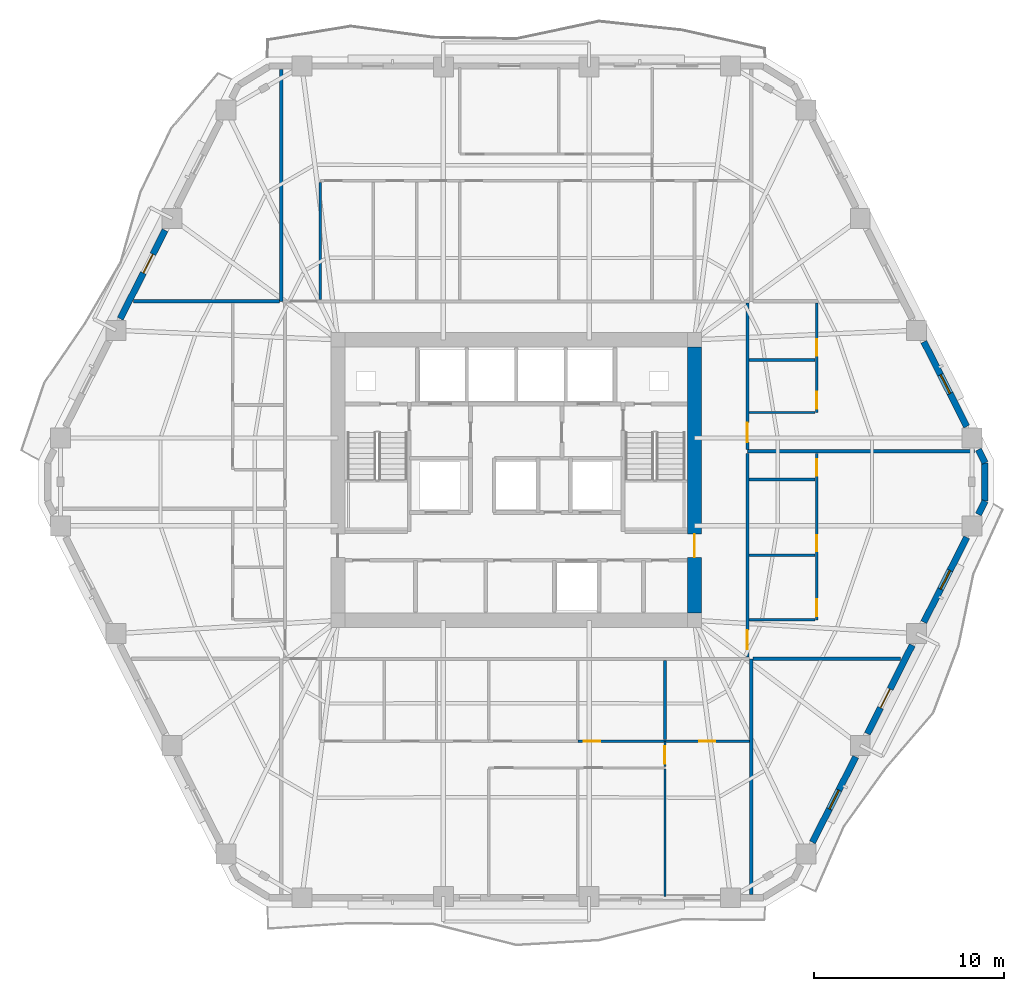
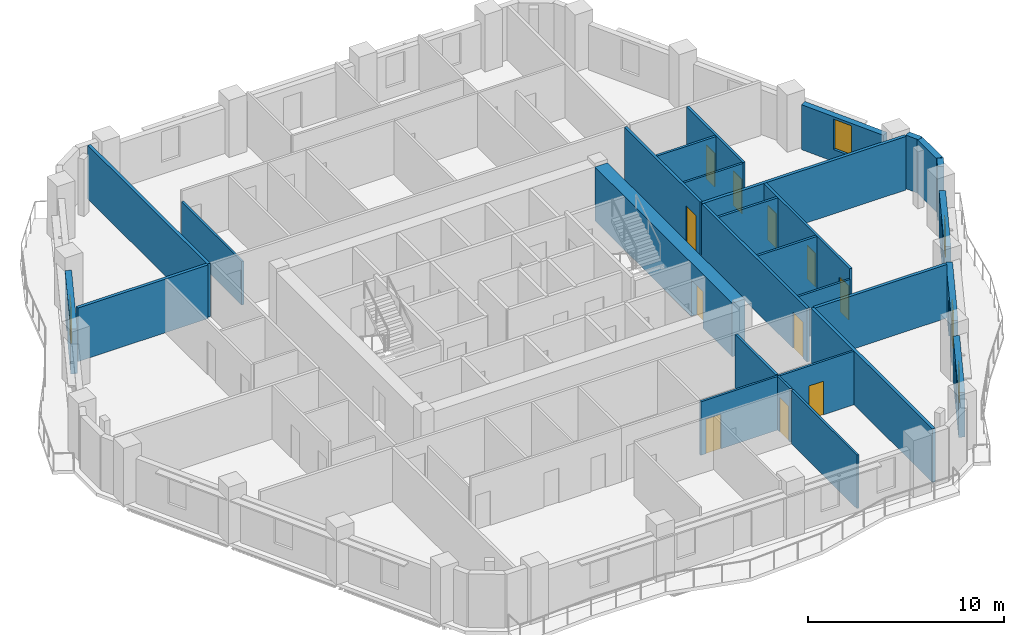
# One storey, part 6 of 12: 28 walls, 13 doors, 3 windows, 16 openings.
"""IFC4 building model written with IfcOpenShell, lengths in metres."""

from ifc_helpers import new_model, si_unit, direction, frame, frame_2d, origin, place, context, subcontext, project, spatial, rectangle, extrude, material, layer, layer_set, type_object, element, fill, save


model = new_model("IFC4")

# Units and contexts
model_context = context("Model", 3, precision=1e-05, world=origin(), true_north=direction((0.0, 1.0)))
body_context = subcontext(model_context, "Body", "Model", "MODEL_VIEW")
ifc_project = project(units=[si_unit("LENGTHUNIT", "METRE"), si_unit("AREAUNIT", "SQUARE_METRE"), si_unit("VOLUMEUNIT", "CUBIC_METRE"), si_unit("PLANEANGLEUNIT", "RADIAN"), si_unit("MASSUNIT", "GRAM", prefix="KILO")], contexts=[model_context])

# Site, building, storey
site_placement = place(None, origin())
site = spatial("IfcSite", under=ifc_project, at=site_placement, CompositionType="ELEMENT")
building_placement = place(site_placement, origin())
building = spatial("IfcBuilding", under=site, at=building_placement, Name="Cinnabar Lancet Tower", CompositionType="ELEMENT")
storey_placement = place(building_placement, frame((0.0, 0.0, 141.0)))
storey = spatial("IfcBuildingStorey", under=building, at=storey_placement, Name="L37", CompositionType="ELEMENT", Elevation=141.0)

# Wall, opening, door
ifc_material_1 = material(Name="Acoustic twin-stud gypsum partition", Category="gypsum")
ifc_layer_1 = layer(ifc_material_1, 0.159912109375)
ifc_layer_set_1 = layer_set([ifc_layer_1], Name="Acoustic twin-stud gypsum partition")
wall_type_1 = type_object("IfcWallType", Name="ARC-WL-CORR-160", PredefinedType="PARTITIONING", material=ifc_layer_set_1)
wall_1_placement = place(storey_placement, frame((44.550048828125, 16.594970703125, 0.0), z_axis=(0.0, 0.0, 1.0), x_axis=(0.0, 1.0, 0.0)))
wall_1 = element("IfcWall", 1, at=wall_1_placement, inside=storey, type_object=wall_type_1, Name="UW-L37-E01-COR", PredefinedType="PARTITIONING", context=body_context, shape_type="SweptSolid", body=[
    extrude(rectangle(XDim=10.714111328125, YDim=0.159912109375, at=frame_2d((5.35693359375, 0.0))), origin(), (0.0, 0.0, 1.0), 3.340087890625),
])
opening_1_placement = place(wall_1_placement, frame((0.39990234375, 0.0, 0.0)))
opening_1 = element("IfcOpeningElement", 2, at=opening_1_placement, cuts=wall_1, Name="Opening UD-01", PredefinedType="OPENING", context=body_context, shape_type="SweptSolid", body=[
    extrude(rectangle(XDim=1.02001953125, YDim=2.25, at=frame_2d((0.510009765625, 1.125))), frame((0.0, 0.08984375, 0.0), z_axis=(0.0, -1.0, 0.0), x_axis=(1.0, 0.0, 0.0)), (0.0, 0.0, 1.0), 0.179931640625),
])
ifc_material_2 = material(Name="Solid timber fire-rated apartment entrance door", Category="wood")
door_type_1 = type_object("IfcDoorType", Name="ARC-DR-UNIT", OperationType="NOTDEFINED", PredefinedType="DOOR", material=ifc_material_2)
door_1_placement = place(opening_1_placement, origin())
door_1 = element("IfcDoor", 3, at=door_1_placement, inside=storey, type_object=door_type_1, Name="DR-L37-E01-ENT", OperationType="SINGLE_SWING_LEFT", OverallHeight=2.25, OverallWidth=1.02001953125, PredefinedType="DOOR", context=body_context, shape_type="SweptSolid", body=[
    extrude(rectangle(XDim=1.02001953125, YDim=2.25, at=frame_2d((0.510009765625, 1.125))), frame((0.0, 0.02490234375, 0.0), z_axis=(0.0, -1.0, 0.0), x_axis=(1.0, 0.0, 0.0)), (0.0, 0.0, 1.0), 0.050048828125),
])
fill(opening_1, door_1)

wall_2_placement = place(storey_placement, frame((44.550048828125, 27.4990234375, 0.0), z_axis=(0.0, 0.0, 1.0), x_axis=(0.0, 1.0, 0.0)))
wall_2 = element("IfcWall", 4, at=wall_2_placement, inside=storey, type_object=wall_type_1, Name="UW-L37-E02-COR", PredefinedType="PARTITIONING", context=body_context, shape_type="SweptSolid", body=[
    extrude(rectangle(XDim=7.7060546875, YDim=0.159912109375, at=frame_2d((3.85302734375, 0.0))), origin(), (0.0, 0.0, 1.0), 3.340087890625),
])
opening_2_placement = place(wall_2_placement, frame((0.39990234375, 0.0, 0.0)))
opening_2 = element("IfcOpeningElement", 5, at=opening_2_placement, cuts=wall_2, Name="Opening UD-01", PredefinedType="OPENING", context=body_context, shape_type="SweptSolid", body=[
    extrude(rectangle(XDim=1.02001953125, YDim=2.25, at=frame_2d((0.510009765625, 1.125))), frame((0.0, 0.08984375, 0.0), z_axis=(0.0, -1.0, 0.0), x_axis=(1.0, 0.0, 0.0)), (0.0, 0.0, 1.0), 0.179931640625),
])
door_2_placement = place(opening_2_placement, origin())
door_2 = element("IfcDoor", 6, at=door_2_placement, inside=storey, type_object=door_type_1, Name="DR-L37-E02-ENT", OperationType="SINGLE_SWING_RIGHT", OverallHeight=2.25, OverallWidth=1.02001953125, PredefinedType="DOOR", context=body_context, shape_type="SweptSolid", body=[
    extrude(rectangle(XDim=1.02001953125, YDim=2.25, at=frame_2d((0.510009765625, 1.125))), frame((0.0, 0.02490234375, 0.0), z_axis=(0.0, -1.0, 0.0), x_axis=(1.0, 0.0, 0.0)), (0.0, 0.0, 1.0), 0.050048828125),
])
fill(opening_2, door_2)

# Walls
ifc_material_3 = material(Name="Fire-rated twin-frame acoustic drywall", Category="gypsum")
ifc_layer_2 = layer(ifc_material_3, 0.179931640625)
ifc_layer_set_2 = layer_set([ifc_layer_2], Name="Fire-rated twin-frame acoustic drywall")
wall_type_2 = type_object("IfcWallType", Name="ARC-WL-PARTY-180", PredefinedType="PARTITIONING", material=ifc_layer_set_2)
wall_3_placement = place(storey_placement, frame((44.75, 4.10498046875, 0.0), z_axis=(0.0, 0.0, 1.0), x_axis=(0.0, 1.0, 0.0)))
element("IfcWall", 7, at=wall_3_placement, inside=storey, type_object=wall_type_2, Name="PW-L37-SPTY-448", PredefinedType="PARTITIONING", context=body_context, shape_type="SweptSolid", body=[
    extrude(rectangle(XDim=12.39501953125, YDim=0.179931640625, at=frame_2d((6.197509765625, 0.0))), origin(), (0.0, 0.0, 1.0), 3.340087890625),
])
wall_4_placement = place(storey_placement, frame((20.050048828125, 35.300048828125, 0.0), z_axis=(0.0, 0.0, 1.0), x_axis=(0.0, 1.0, 0.0)))
element("IfcWall", 8, at=wall_4_placement, inside=storey, type_object=wall_type_2, Name="PW-L37-NPTY-200", PredefinedType="PARTITIONING", context=body_context, shape_type="SweptSolid", body=[
    extrude(rectangle(XDim=12.195068359375, YDim=0.179931640625, at=frame_2d((6.09765625, 0.0))), origin(), (0.0, 0.0, 1.0), 3.340087890625),
])
wall_5_placement = place(storey_placement, frame((44.844970703125, 16.5, 0.0), z_axis=(0.0, 0.0, 1.0), x_axis=(1.0, 0.0, 0.0)))
element("IfcWall", 9, at=wall_5_placement, inside=storey, type_object=wall_type_2, Name="PW-L37-ESB", PredefinedType="PARTITIONING", context=body_context, shape_type="SweptSolid", body=[
    extrude(rectangle(XDim=7.77001953125, YDim=0.179931640625, at=frame_2d((3.885009765625, 0.0))), origin(), (0.0, 0.0, 1.0), 3.340087890625),
])
wall_6_placement = place(storey_placement, frame((12.285888671875, 35.300048828125, 0.0), z_axis=(0.0, 0.0, 1.0), x_axis=(1.0, 0.0, 0.0)))
element("IfcWall", 10, at=wall_6_placement, inside=storey, type_object=wall_type_2, Name="PW-L37-WNB", PredefinedType="PARTITIONING", context=body_context, shape_type="SweptSolid", body=[
    extrude(rectangle(XDim=7.669189453125, YDim=0.179931640625, at=frame_2d((3.83447265625, 0.0))), origin(), (0.0, 0.0, 1.0), 3.340087890625),
])
wall_7_placement = place(storey_placement, frame((44.550048828125, 27.404052734375, 0.0), z_axis=(0.0, 0.0, 1.0), x_axis=(1.0, 0.0, 0.0)))
element("IfcWall", 11, at=wall_7_placement, inside=storey, type_object=wall_type_2, Name="PW-L37-EPTY-1", PredefinedType="PARTITIONING", context=body_context, shape_type="SweptSolid", body=[
    extrude(rectangle(XDim=11.958984375, YDim=0.179931640625, at=frame_2d((5.9794921875, 0.0))), origin(), (0.0, 0.0, 1.0), 3.340087890625),
])

# Wall, openings, doors
ifc_material_4 = material(Name="Gypsum plasterboard stud partition", Category="gypsum")
ifc_layer_3 = layer(ifc_material_4, 0.125)
ifc_layer_set_3 = layer_set([ifc_layer_3], Name="Gypsum plasterboard stud partition")
wall_type_3 = type_object("IfcWallType", Name="ARC-WL-UNIT-125", PredefinedType="PARTITIONING", material=ifc_layer_set_3)
wall_8_placement = place(storey_placement, frame((35.64208984375, 12.162109375, 0.0), z_axis=(0.0, 0.0, 1.0), x_axis=(1.0, 0.0, 0.0)))
wall_8 = element("IfcWall", 12, at=wall_8_placement, inside=storey, type_object=wall_type_3, Name="UW-L37-S01-SP2", PredefinedType="PARTITIONING", context=body_context, shape_type="SweptSolid", body=[
    extrude(rectangle(XDim=9.012939453125, YDim=0.125, at=frame_2d((4.50634765625, 0.0))), origin(), (0.0, 0.0, 1.0), 3.340087890625),
])
opening_3_placement = place(wall_8_placement, frame((6.3701171875, 0.0, 0.0)))
opening_3 = element("IfcOpeningElement", 13, at=opening_3_placement, cuts=wall_8, Name="Opening BD-01", PredefinedType="OPENING", context=body_context, shape_type="SweptSolid", body=[
    extrude(rectangle(XDim=0.860107421875, YDim=2.10009765625, at=frame_2d((0.43017578125, 1.050048828125))), frame((0.0, 0.072509765625, 0.0), z_axis=(0.0, -1.0, 0.0), x_axis=(1.0, 0.0, 0.0)), (0.0, 0.0, 1.0), 0.14501953125),
])
opening_4_placement = place(wall_8_placement, frame((0.300048828125, 0.0, 0.0)))
opening_4 = element("IfcOpeningElement", 14, at=opening_4_placement, cuts=wall_8, Name="Opening RD-02", PredefinedType="OPENING", context=body_context, shape_type="SweptSolid", body=[
    extrude(rectangle(XDim=0.8798828125, YDim=2.14990234375, at=frame_2d((0.43994140625, 1.074951171875))), frame((0.0, 0.072509765625, 0.0), z_axis=(0.0, -1.0, 0.0), x_axis=(1.0, 0.0, 0.0)), (0.0, 0.0, 1.0), 0.14501953125),
])
ifc_material_5 = material(Name="Moisture-resistant timber bathroom door", Category="wood")
door_type_2 = type_object("IfcDoorType", Name="ARC-DR-BATH", OperationType="NOTDEFINED", PredefinedType="DOOR", material=ifc_material_5)
door_3_placement = place(opening_3_placement, origin())
door_3 = element("IfcDoor", 15, at=door_3_placement, inside=storey, type_object=door_type_2, Name="DR-L37-S01-ENS", OperationType="SINGLE_SWING_LEFT", OverallHeight=2.10009765625, OverallWidth=0.860107421875, PredefinedType="DOOR", context=body_context, shape_type="SweptSolid", body=[
    extrude(rectangle(XDim=0.860107421875, YDim=2.10009765625, at=frame_2d((0.43017578125, 1.050048828125))), frame((0.0, 0.02490234375, 0.0), z_axis=(0.0, -1.0, 0.0), x_axis=(1.0, 0.0, 0.0)), (0.0, 0.0, 1.0), 0.050048828125),
])
fill(opening_3, door_3)
ifc_material_6 = material(Name="Engineered timber study door", Category="wood")
door_type_3 = type_object("IfcDoorType", Name="ARC-DR-STUDY", OperationType="NOTDEFINED", PredefinedType="DOOR", material=ifc_material_6)
door_4_placement = place(opening_4_placement, origin())
door_4 = element("IfcDoor", 16, at=door_4_placement, inside=storey, type_object=door_type_3, Name="DR-L37-S01-DRS", OperationType="SINGLE_SWING_RIGHT", OverallHeight=2.14990234375, OverallWidth=0.8798828125, PredefinedType="DOOR", context=body_context, shape_type="SweptSolid", body=[
    extrude(rectangle(XDim=0.8798828125, YDim=2.14990234375, at=frame_2d((0.43994140625, 1.074951171875))), frame((0.0, 0.02490234375, 0.0), z_axis=(0.0, -1.0, 0.0), x_axis=(1.0, 0.0, 0.0)), (0.0, 0.0, 1.0), 0.050048828125),
])
fill(opening_4, door_4)

# Wall, opening, door
wall_9_placement = place(storey_placement, frame((40.219970703125, 10.83203125, 0.0), z_axis=(0.0, 0.0, 1.0), x_axis=(0.0, 1.0, 0.0)))
wall_9 = element("IfcWall", 17, at=wall_9_placement, inside=storey, type_object=wall_type_3, Name="UW-L37-S01-MBE", PredefinedType="PARTITIONING", context=body_context, shape_type="SweptSolid", body=[
    extrude(rectangle(XDim=1.330078125, YDim=0.125, at=frame_2d((0.6650390625, 0.0))), origin(), (0.0, 0.0, 1.0), 3.340087890625),
])
opening_5_placement = place(wall_9_placement, frame((0.159912109375, 0.0, 0.0)))
opening_5 = element("IfcOpeningElement", 18, at=opening_5_placement, cuts=wall_9, Name="Opening RD-01", PredefinedType="OPENING", context=body_context, shape_type="SweptSolid", body=[
    extrude(rectangle(XDim=0.919921875, YDim=2.14990234375, at=frame_2d((0.4599609375, 1.074951171875))), frame((0.0, 0.072509765625, 0.0), z_axis=(0.0, -1.0, 0.0), x_axis=(1.0, 0.0, 0.0)), (0.0, 0.0, 1.0), 0.14501953125),
])
ifc_material_7 = material(Name="Engineered timber bedroom door", Category="wood")
door_type_4 = type_object("IfcDoorType", Name="ARC-DR-ROOM", OperationType="NOTDEFINED", PredefinedType="DOOR", material=ifc_material_7)
door_5_placement = place(opening_5_placement, origin())
door_5 = element("IfcDoor", 19, at=door_5_placement, inside=storey, type_object=door_type_4, Name="DR-L37-S01-MBD", OperationType="SINGLE_SWING_LEFT", OverallHeight=2.14990234375, OverallWidth=0.919921875, PredefinedType="DOOR", context=body_context, shape_type="SweptSolid", body=[
    extrude(rectangle(XDim=0.919921875, YDim=2.14990234375, at=frame_2d((0.4599609375, 1.074951171875))), frame((0.0, 0.02490234375, 0.0), z_axis=(0.0, -1.0, 0.0), x_axis=(1.0, 0.0, 0.0)), (0.0, 0.0, 1.0), 0.050048828125),
])
fill(opening_5, door_5)

# Walls
wall_10_placement = place(storey_placement, frame((40.219970703125, 4.014892578125, 0.0), z_axis=(0.0, 0.0, 1.0), x_axis=(0.0, 1.0, 0.0)))
element("IfcWall", 20, at=wall_10_placement, inside=storey, type_object=wall_type_3, Name="UW-L37-S01-B23W", PredefinedType="PARTITIONING", context=body_context, shape_type="SweptSolid", body=[
    extrude(rectangle(XDim=6.68212890625, YDim=0.125, at=frame_2d((3.341064453125, 0.0))), origin(), (0.0, 0.0, 1.0), 3.340087890625),
])
wall_11_placement = place(storey_placement, frame((22.10009765625, 35.385009765625, 0.0), z_axis=(0.0, 0.0, 1.0), x_axis=(0.0, 1.0, 0.0)))
element("IfcWall", 21, at=wall_11_placement, inside=storey, type_object=wall_type_3, Name="UW-L37-N01-FOYE", PredefinedType="PARTITIONING", context=body_context, shape_type="SweptSolid", body=[
    extrude(rectangle(XDim=6.15087890625, YDim=0.125, at=frame_2d((3.075439453125, 0.0))), origin(), (0.0, 0.0, 1.0), 2.721923828125),
])
wall_12_placement = place(storey_placement, frame((44.635009765625, 18.550048828125, 0.0), z_axis=(0.0, 0.0, 1.0), x_axis=(1.0, 0.0, 0.0)))
element("IfcWall", 22, at=wall_12_placement, inside=storey, type_object=wall_type_3, Name="UW-L37-E01-FOYN", PredefinedType="PARTITIONING", context=body_context, shape_type="SweptSolid", body=[
    extrude(rectangle(XDim=3.47998046875, YDim=0.125, at=frame_2d((1.739990234375, 0.0))), origin(), (0.0, 0.0, 1.0), 2.721923828125),
])
wall_13_placement = place(storey_placement, frame((44.635009765625, 29.4541015625, 0.0), z_axis=(0.0, 0.0, 1.0), x_axis=(1.0, 0.0, 0.0)))
element("IfcWall", 23, at=wall_13_placement, inside=storey, type_object=wall_type_3, Name="UW-L37-E02-FOYN", PredefinedType="PARTITIONING", context=body_context, shape_type="SweptSolid", body=[
    extrude(rectangle(XDim=3.47998046875, YDim=0.125, at=frame_2d((1.739990234375, 0.0))), origin(), (0.0, 0.0, 1.0), 3.340087890625),
])
ifc_material_8 = material(Name="Moisture-resistant cement-board plumbing wall", Category="masonry")
ifc_layer_4 = layer(ifc_material_8, 0.139892578125)
ifc_layer_set_4 = layer_set([ifc_layer_4], Name="Moisture-resistant cement-board plumbing wall")
wall_type_4 = type_object("IfcWallType", Name="ARC-WL-WET-140", PredefinedType="PLUMBINGWALL", material=ifc_layer_set_4)
wall_14_placement = place(storey_placement, frame((40.219970703125, 12.26708984375, 0.0), z_axis=(0.0, 0.0, 1.0), x_axis=(0.0, 1.0, 0.0)))
element("IfcWall", 24, at=wall_14_placement, inside=storey, type_object=wall_type_4, Name="UW-L37-S01-UT3", PredefinedType="PLUMBINGWALL", context=body_context, shape_type="SweptSolid", body=[
    extrude(rectangle(XDim=4.14794921875, YDim=0.139892578125, at=frame_2d((2.073974609375, 0.0))), origin(), (0.0, 0.0, 1.0), 3.340087890625),
])

# Wall, openings, doors
wall_15_placement = place(storey_placement, frame((48.199951171875, 18.550048828125, 0.0), z_axis=(0.0, 0.0, 1.0), x_axis=(0.0, 1.0, 0.0)))
wall_15 = element("IfcWall", 25, at=wall_15_placement, inside=storey, type_object=wall_type_4, Name="UW-L37-E01-SPL", PredefinedType="PLUMBINGWALL", context=body_context, shape_type="SweptSolid", body=[
    extrude(rectangle(XDim=8.759033203125, YDim=0.139892578125, at=frame_2d((4.37939453125, 0.0))), origin(), (0.0, 0.0, 1.0), 3.340087890625),
])
opening_6_placement = place(wall_15_placement, frame((3.60009765625, 0.0, 0.0)))
opening_6 = element("IfcOpeningElement", 26, at=opening_6_placement, cuts=wall_15, Name="Opening BD-01", PredefinedType="OPENING", context=body_context, shape_type="SweptSolid", body=[
    extrude(rectangle(XDim=0.860107421875, YDim=2.10009765625, at=frame_2d((0.43017578125, 1.050048828125))), frame((0.0, 0.079833984375, 0.0), z_axis=(0.0, -1.0, 0.0), x_axis=(1.0, 0.0, 0.0)), (0.0, 0.0, 1.0), 0.159912109375),
])
opening_7_placement = place(wall_15_placement, frame((7.576904296875, 0.0, 0.0)))
opening_7 = element("IfcOpeningElement", 27, at=opening_7_placement, cuts=wall_15, Name="Opening RD-02", PredefinedType="OPENING", context=body_context, shape_type="SweptSolid", body=[
    extrude(rectangle(XDim=0.8798828125, YDim=2.14990234375, at=frame_2d((0.43994140625, 1.074951171875))), frame((0.0, 0.079833984375, 0.0), z_axis=(0.0, -1.0, 0.0), x_axis=(1.0, 0.0, 0.0)), (0.0, 0.0, 1.0), 0.159912109375),
])
opening_8_placement = place(wall_15_placement, frame((0.199951171875, 0.0, 0.0)))
opening_8 = element("IfcOpeningElement", 28, at=opening_8_placement, cuts=wall_15, Name="Opening RD-02", PredefinedType="OPENING", context=body_context, shape_type="SweptSolid", body=[
    extrude(rectangle(XDim=0.8798828125, YDim=2.14990234375, at=frame_2d((0.43994140625, 1.074951171875))), frame((0.0, 0.079833984375, 0.0), z_axis=(0.0, -1.0, 0.0), x_axis=(1.0, 0.0, 0.0)), (0.0, 0.0, 1.0), 0.159912109375),
])
door_6_placement = place(opening_6_placement, origin())
door_6 = element("IfcDoor", 29, at=door_6_placement, inside=storey, type_object=door_type_2, Name="DR-L37-E01-BTH", OperationType="SINGLE_SWING_LEFT", OverallHeight=2.10009765625, OverallWidth=0.860107421875, PredefinedType="DOOR", context=body_context, shape_type="SweptSolid", body=[
    extrude(rectangle(XDim=0.860107421875, YDim=2.10009765625, at=frame_2d((0.43017578125, 1.050048828125))), frame((0.0, 0.02490234375, 0.0), z_axis=(0.0, -1.0, 0.0), x_axis=(1.0, 0.0, 0.0)), (0.0, 0.0, 1.0), 0.050048828125),
])
fill(opening_6, door_6)
door_7_placement = place(opening_7_placement, origin())
door_7 = element("IfcDoor", 30, at=door_7_placement, inside=storey, type_object=door_type_3, Name="DR-L37-E01-WDR", OperationType="SINGLE_SWING_RIGHT", OverallHeight=2.14990234375, OverallWidth=0.8798828125, PredefinedType="DOOR", context=body_context, shape_type="SweptSolid", body=[
    extrude(rectangle(XDim=0.8798828125, YDim=2.14990234375, at=frame_2d((0.43994140625, 1.074951171875))), frame((0.0, 0.02490234375, 0.0), z_axis=(0.0, -1.0, 0.0), x_axis=(1.0, 0.0, 0.0)), (0.0, 0.0, 1.0), 0.050048828125),
])
fill(opening_7, door_7)
door_8_placement = place(opening_8_placement, origin())
door_8 = element("IfcDoor", 31, at=door_8_placement, inside=storey, type_object=door_type_3, Name="DR-L37-E01-KIT", OperationType="SINGLE_SWING_RIGHT", OverallHeight=2.14990234375, OverallWidth=0.8798828125, PredefinedType="DOOR", context=body_context, shape_type="SweptSolid", body=[
    extrude(rectangle(XDim=0.8798828125, YDim=2.14990234375, at=frame_2d((0.43994140625, 1.074951171875))), frame((0.0, 0.02490234375, 0.0), z_axis=(0.0, -1.0, 0.0), x_axis=(1.0, 0.0, 0.0)), (0.0, 0.0, 1.0), 0.050048828125),
])
fill(opening_8, door_8)

# Walls
for number, where, z_axis, x_axis, name in (
    (32, (44.635009765625, 21.949951171875, 0.0), (0.0, 0.0, 1.0), (1.0, 0.0, 0.0), "UW-L37-E01-KDV"),
    (33, (44.635009765625, 25.927001953125, 0.0), (0.0, 0.0, 1.0), (1.0, 0.0, 0.0), "UW-L37-E01-BWDV"),
):
    element("IfcWall", number, at=place(storey_placement, frame(where, z_axis=z_axis, x_axis=x_axis)), inside=storey, type_object=wall_type_4, Name=name, PredefinedType="PLUMBINGWALL", context=body_context, shape_type="SweptSolid", body=[
        extrude(rectangle(XDim=3.47998046875, YDim=0.139892578125, at=frame_2d((1.739990234375, 0.0))), origin(), (0.0, 0.0, 1.0), 3.340087890625),
    ])

# Wall, openings, doors
wall_16_placement = place(storey_placement, frame((48.199951171875, 29.4541015625, 0.0), z_axis=(0.0, 0.0, 1.0), x_axis=(0.0, 1.0, 0.0)))
wall_16 = element("IfcWall", 34, at=wall_16_placement, inside=storey, type_object=wall_type_4, Name="UW-L37-E02-SPL", PredefinedType="PLUMBINGWALL", context=body_context, shape_type="SweptSolid", body=[
    extrude(rectangle(XDim=5.7509765625, YDim=0.139892578125, at=frame_2d((2.87548828125, 0.0))), origin(), (0.0, 0.0, 1.0), 3.340087890625),
])
opening_9_placement = place(wall_16_placement, frame((2.97998046875, 0.0, 0.0)))
opening_9 = element("IfcOpeningElement", 35, at=opening_9_placement, cuts=wall_16, Name="Opening BD-01", PredefinedType="OPENING", context=body_context, shape_type="SweptSolid", body=[
    extrude(rectangle(XDim=0.860107421875, YDim=2.10009765625, at=frame_2d((0.43017578125, 1.050048828125))), frame((0.0, 0.079833984375, 0.0), z_axis=(0.0, -1.0, 0.0), x_axis=(1.0, 0.0, 0.0)), (0.0, 0.0, 1.0), 0.159912109375),
])
opening_10_placement = place(wall_16_placement, frame((0.199951171875, 0.0, 0.0)))
opening_10 = element("IfcOpeningElement", 36, at=opening_10_placement, cuts=wall_16, Name="Opening RD-02", PredefinedType="OPENING", context=body_context, shape_type="SweptSolid", body=[
    extrude(rectangle(XDim=0.8798828125, YDim=2.14990234375, at=frame_2d((0.43994140625, 1.074951171875))), frame((0.0, 0.079833984375, 0.0), z_axis=(0.0, -1.0, 0.0), x_axis=(1.0, 0.0, 0.0)), (0.0, 0.0, 1.0), 0.159912109375),
])
door_9_placement = place(opening_9_placement, origin())
door_9 = element("IfcDoor", 37, at=door_9_placement, inside=storey, type_object=door_type_2, Name="DR-L37-E02-BTH", OperationType="SINGLE_SWING_RIGHT", OverallHeight=2.10009765625, OverallWidth=0.860107421875, PredefinedType="DOOR", context=body_context, shape_type="SweptSolid", body=[
    extrude(rectangle(XDim=0.860107421875, YDim=2.10009765625, at=frame_2d((0.43017578125, 1.050048828125))), frame((0.0, 0.02490234375, 0.0), z_axis=(0.0, -1.0, 0.0), x_axis=(1.0, 0.0, 0.0)), (0.0, 0.0, 1.0), 0.050048828125),
])
fill(opening_9, door_9)
door_10_placement = place(opening_10_placement, origin())
door_10 = element("IfcDoor", 38, at=door_10_placement, inside=storey, type_object=door_type_3, Name="DR-L37-E02-KIT", OperationType="SINGLE_SWING_LEFT", OverallHeight=2.14990234375, OverallWidth=0.8798828125, PredefinedType="DOOR", context=body_context, shape_type="SweptSolid", body=[
    extrude(rectangle(XDim=0.8798828125, YDim=2.14990234375, at=frame_2d((0.43994140625, 1.074951171875))), frame((0.0, 0.02490234375, 0.0), z_axis=(0.0, -1.0, 0.0), x_axis=(1.0, 0.0, 0.0)), (0.0, 0.0, 1.0), 0.050048828125),
])
fill(opening_10, door_10)

# Walls
wall_17_placement = place(storey_placement, frame((44.635009765625, 32.214111328125, 0.0), z_axis=(0.0, 0.0, 1.0), x_axis=(1.0, 0.0, 0.0)))
element("IfcWall", 39, at=wall_17_placement, inside=storey, type_object=wall_type_4, Name="UW-L37-E02-KDV", PredefinedType="PLUMBINGWALL", context=body_context, shape_type="SweptSolid", body=[
    extrude(rectangle(XDim=3.47998046875, YDim=0.139892578125, at=frame_2d((1.739990234375, 0.0))), origin(), (0.0, 0.0, 1.0), 3.340087890625),
])
ifc_material_9 = material(Name="Cinnabar red clay brick", Category="masonry")
ifc_layer_5 = layer(ifc_material_9, 0.340087890625)
ifc_layer_set_5 = layer_set([ifc_layer_5], Name="Cinnabar red clay brick")
wall_type_5 = type_object("IfcWallType", Name="ENV-WL-BRK-RED-340", PredefinedType="STANDARD", material=ifc_layer_set_5)
wall_18_placement = place(storey_placement, frame((57.032958984375, 24.802978515625, 0.0), z_axis=(0.0, 0.0, 1.0), x_axis=(0.0, 1.0, 0.0)))
element("IfcWall", 40, at=wall_18_placement, inside=storey, type_object=wall_type_5, Name="L37 Chamfered Corner Brick Pier 3.1", PredefinedType="STANDARD", context=body_context, shape_type="SweptSolid", body=[
    extrude(rectangle(XDim=1.994140625, YDim=0.340087890625, at=frame_2d((0.9970703125, 0.0))), origin(), (0.0, 0.0, 1.0), 3.340087890625),
])

# Wall, opening, window
wall_19_placement = place(storey_placement, frame((47.97509765625, 6.85205078125, 0.0), z_axis=(0.0, 0.0, 1.0), x_axis=(0.451548465867, 0.892246593142, 0.0)))
wall_19 = element("IfcWall", 41, at=wall_19_placement, inside=storey, type_object=wall_type_5, Name="L37 Face 2 Masonry Bay Wall 2", PredefinedType="STANDARD", context=body_context, shape_type="SweptSolid", body=[
    extrude(rectangle(XDim=5.040283203125, YDim=0.340087890625, at=frame_2d((2.52001953125, 0.0))), origin(), (0.0, 0.0, 1.0), 2.797119140625),
])
opening_11_placement = place(wall_19_placement, frame((1.969970703125, 0.0, 0.75)))
opening_11 = element("IfcOpeningElement", 42, at=opening_11_placement, cuts=wall_19, Name="Opening WN-04", PredefinedType="OPENING", context=body_context, shape_type="SweptSolid", body=[
    extrude(rectangle(XDim=1.10009765625, YDim=1.89697265625, at=frame_2d((0.550048828125, 0.948486328125))), frame((0.0, 0.179931640625, 0.0), z_axis=(0.0, -1.0, 0.0), x_axis=(1.0, 0.0, 0.0)), (0.0, 0.0, 1.0), 0.360107421875),
])
ifc_material_10 = material(Name="Thermally broken bronze-anodized aluminium tall lancet window", Category="aluminium")
window_type = type_object("IfcWindowType", Name="ENV-WN-LANCET-1100", PartitioningType="SINGLE_PANEL", PredefinedType="WINDOW", material=ifc_material_10)
window_1_placement = place(opening_11_placement, origin())
window_1 = element("IfcWindow", 43, at=window_1_placement, inside=storey, type_object=window_type, Name="L37 Face 2 Gothic Lancet Window 2", OverallHeight=1.89697265625, OverallWidth=1.10009765625, PartitioningType="SINGLE_PANEL", PredefinedType="WINDOW", context=body_context, shape_type="SweptSolid", body=[
    extrude(rectangle(XDim=1.10009765625, YDim=1.89697265625, at=frame_2d((0.550048828125, 0.948486328125))), frame((0.0, 0.030029296875, 0.0), z_axis=(0.0, -1.0, 0.0), x_axis=(1.0, 0.0, 0.0)), (0.0, 0.0, 1.0), 0.06005859375),
])
fill(opening_11, window_1)

# Wall, opening, door
wall_20_placement = place(storey_placement, frame((50.863037109375, 12.56103515625, 0.0), z_axis=(0.0, 0.0, 1.0), x_axis=(0.451567731634, 0.892236842855, 0.0)))
wall_20 = element("IfcWall", 44, at=wall_20_placement, inside=storey, type_object=wall_type_5, Name="L37 Face 2 Masonry Bay Wall 3", PredefinedType="STANDARD", context=body_context, shape_type="SweptSolid", body=[
    extrude(rectangle(XDim=5.219482421875, YDim=0.340087890625, at=frame_2d((2.60986328125, 0.0))), origin(), (0.0, 0.0, 1.0), 2.797119140625),
])
opening_12_placement = place(wall_20_placement, frame((1.531982421875, 0.0, 0.0)))
opening_12 = element("IfcOpeningElement", 45, at=opening_12_placement, cuts=wall_20, Name="Opening TD-01", PredefinedType="OPENING", context=body_context, shape_type="SweptSolid", body=[
    extrude(rectangle(XDim=1.10009765625, YDim=2.25, at=frame_2d((0.550048828125, 1.125))), frame((0.0, 0.179931640625, 0.0), z_axis=(0.0, -1.0, 0.0), x_axis=(1.0, 0.0, 0.0)), (0.0, 0.0, 1.0), 0.360107421875),
])
ifc_material_11 = material(Name="Thermally broken low-E glazed balcony terrace door", Category="wood")
door_type_5 = type_object("IfcDoorType", Name="ARC-DR-BALC", OperationType="NOTDEFINED", PredefinedType="DOOR", material=ifc_material_11)
door_11_placement = place(opening_12_placement, origin())
door_11 = element("IfcDoor", 46, at=door_11_placement, inside=storey, type_object=door_type_5, Name="L37 Face 2 Glazed Terrace Door", OperationType="SINGLE_SWING_RIGHT", OverallHeight=2.25, OverallWidth=1.10009765625, PredefinedType="DOOR", context=body_context, shape_type="SweptSolid", body=[
    extrude(rectangle(XDim=1.10009765625, YDim=2.25, at=frame_2d((0.550048828125, 1.125))), frame((0.0, 0.02490234375, 0.0), z_axis=(0.0, -1.0, 0.0), x_axis=(1.0, 0.0, 0.0)), (0.0, 0.0, 1.0), 0.050048828125),
])
fill(opening_12, door_11)

# Wall, opening, window
wall_21_placement = place(storey_placement, frame((53.83203125, 18.427978515625, 0.0), z_axis=(0.0, 0.0, 1.0), x_axis=(0.451431617681, 0.892305718102, 0.0)))
wall_21 = element("IfcWall", 47, at=wall_21_placement, inside=storey, type_object=wall_type_5, Name="L37 Face 2 Masonry Bay Wall 4", PredefinedType="STANDARD", context=body_context, shape_type="SweptSolid", body=[
    extrude(rectangle(XDim=4.994873046875, YDim=0.340087890625, at=frame_2d((2.49755859375, 0.0))), origin(), (0.0, 0.0, 1.0), 2.797119140625),
])
opening_13_placement = place(wall_21_placement, frame((1.947021484375, 0.0, 0.75)))
opening_13 = element("IfcOpeningElement", 48, at=opening_13_placement, cuts=wall_21, Name="Opening WN-04", PredefinedType="OPENING", context=body_context, shape_type="SweptSolid", body=[
    extrude(rectangle(XDim=1.10009765625, YDim=1.89697265625, at=frame_2d((0.550048828125, 0.948486328125))), frame((0.0, 0.179931640625, 0.0), z_axis=(0.0, -1.0, 0.0), x_axis=(1.0, 0.0, 0.0)), (0.0, 0.0, 1.0), 0.360107421875),
])
window_2_placement = place(opening_13_placement, origin())
window_2 = element("IfcWindow", 49, at=window_2_placement, inside=storey, type_object=window_type, Name="L37 Face 2 Gothic Lancet Window 4", OverallHeight=1.89697265625, OverallWidth=1.10009765625, PartitioningType="SINGLE_PANEL", PredefinedType="WINDOW", context=body_context, shape_type="SweptSolid", body=[
    extrude(rectangle(XDim=1.10009765625, YDim=1.89697265625, at=frame_2d((0.550048828125, 0.948486328125))), frame((0.0, 0.030029296875, 0.0), z_axis=(0.0, -1.0, 0.0), x_axis=(1.0, 0.0, 0.0)), (0.0, 0.0, 1.0), 0.06005859375),
])
fill(opening_13, window_2)

# Walls
for number, where, z_axis, x_axis, name in (
    (50, (56.699951171875, 24.096923828125, 0.0), (0.0, 0.0, 1.0), (0.451819324107, 0.89210946546, 0.0), "L37 Face 2 Masonry Bay Wall 5"),
    (51, (57.053955078125, 26.803955078125, 0.0), (0.0, 0.0, 1.0), (-0.451819324107, 0.89210946546, 0.0), "L37 Face 3 Masonry Bay Wall 1"),
):
    element("IfcWall", number, at=place(storey_placement, frame(where, z_axis=z_axis, x_axis=x_axis)), inside=storey, type_object=wall_type_5, Name=name, PredefinedType="STANDARD", context=body_context, shape_type="SweptSolid", body=[
        extrude(rectangle(XDim=0.783447265625, YDim=0.340087890625, at=frame_2d((0.3916015625, 0.0))), origin(), (0.0, 0.0, 1.0), 3.340087890625),
    ])

# Wall, opening, window
wall_22_placement = place(storey_placement, frame((56.0869140625, 28.715087890625, 0.0), z_axis=(0.0, 0.0, 1.0), x_axis=(-0.451431617681, 0.892305718102, 0.0)))
wall_22 = element("IfcWall", 52, at=wall_22_placement, inside=storey, type_object=wall_type_5, Name="L37 Face 3 Masonry Bay Wall 2", PredefinedType="STANDARD", context=body_context, shape_type="SweptSolid", body=[
    extrude(rectangle(XDim=4.994873046875, YDim=0.340087890625, at=frame_2d((2.49755859375, 0.0))), origin(), (0.0, 0.0, 1.0), 2.797119140625),
])
opening_14_placement = place(wall_22_placement, frame((1.947021484375, 0.0, 0.75)))
opening_14 = element("IfcOpeningElement", 53, at=opening_14_placement, cuts=wall_22, Name="Opening WN-04", PredefinedType="OPENING", context=body_context, shape_type="SweptSolid", body=[
    extrude(rectangle(XDim=1.10009765625, YDim=1.89697265625, at=frame_2d((0.550048828125, 0.948486328125))), frame((0.0, 0.179931640625, 0.0), z_axis=(0.0, -1.0, 0.0), x_axis=(1.0, 0.0, 0.0)), (0.0, 0.0, 1.0), 0.360107421875),
])
window_3_placement = place(opening_14_placement, origin())
window_3 = element("IfcWindow", 54, at=window_3_placement, inside=storey, type_object=window_type, Name="L37 Face 3 Gothic Lancet Window 2", OverallHeight=1.89697265625, OverallWidth=1.10009765625, PartitioningType="SINGLE_PANEL", PredefinedType="WINDOW", context=body_context, shape_type="SweptSolid", body=[
    extrude(rectangle(XDim=1.10009765625, YDim=1.89697265625, at=frame_2d((0.550048828125, 0.948486328125))), frame((0.0, 0.030029296875, 0.0), z_axis=(0.0, -1.0, 0.0), x_axis=(1.0, 0.0, 0.0)), (0.0, 0.0, 1.0), 0.06005859375),
])
fill(opening_14, window_3)

# Wall, opening, door
wall_23_placement = place(storey_placement, frame((13.93701171875, 39.0390625, 0.0), z_axis=(0.0, 0.0, 1.0), x_axis=(-0.451567731634, -0.892236842855, 0.0)))
wall_23 = element("IfcWall", 55, at=wall_23_placement, inside=storey, type_object=wall_type_5, Name="L37 Face 5 Masonry Bay Wall 3", PredefinedType="STANDARD", context=body_context, shape_type="SweptSolid", body=[
    extrude(rectangle(XDim=5.219482421875, YDim=0.340087890625, at=frame_2d((2.60986328125, 0.0))), origin(), (0.0, 0.0, 1.0), 2.797119140625),
])
opening_15_placement = place(wall_23_placement, frame((1.419921875, 0.0, 0.0)))
opening_15 = element("IfcOpeningElement", 56, at=opening_15_placement, cuts=wall_23, Name="Opening TD-01", PredefinedType="OPENING", context=body_context, shape_type="SweptSolid", body=[
    extrude(rectangle(XDim=1.10009765625, YDim=2.25, at=frame_2d((0.550048828125, 1.125))), frame((0.0, 0.179931640625, 0.0), z_axis=(0.0, -1.0, 0.0), x_axis=(1.0, 0.0, 0.0)), (0.0, 0.0, 1.0), 0.360107421875),
])
door_12_placement = place(opening_15_placement, origin())
door_12 = element("IfcDoor", 57, at=door_12_placement, inside=storey, type_object=door_type_5, Name="L37 Face 5 Glazed Terrace Door", OperationType="SINGLE_SWING_LEFT", OverallHeight=2.25, OverallWidth=1.10009765625, PredefinedType="DOOR", context=body_context, shape_type="SweptSolid", body=[
    extrude(rectangle(XDim=1.10009765625, YDim=2.25, at=frame_2d((0.550048828125, 1.125))), frame((0.0, 0.02490234375, 0.0), z_axis=(0.0, -1.0, 0.0), x_axis=(1.0, 0.0, 0.0)), (0.0, 0.0, 1.0), 0.050048828125),
])
fill(opening_15, door_12)

ifc_material_12 = material(Name="Concrete C70/85", Category="concrete")
ifc_layer_6 = layer(ifc_material_12, 0.75)
ifc_layer_set_6 = layer_set([ifc_layer_6], Name="Concrete C70/85")
wall_type_6 = type_object("IfcWallType", Name="STR-WL-CORE-750", PredefinedType="SHEAR", material=ifc_layer_set_6)
wall_24_placement = place(storey_placement, frame((41.77490234375, 18.89990234375, 0.0), z_axis=(0.0, 0.0, 1.0), x_axis=(0.0, 1.0, 0.0)))
wall_24 = element("IfcWall", 58, at=wall_24_placement, inside=storey, type_object=wall_type_6, Name="L37 Core Shear Wall E", PredefinedType="SHEAR", context=body_context, shape_type="SweptSolid", body=[
    extrude(rectangle(XDim=14.0, YDim=0.75, at=frame_2d((7.0, 0.0))), origin(), (0.0, 0.0, 1.0), 3.340087890625),
])
opening_16_placement = place(wall_24_placement, frame((2.93994140625, 0.0, 0.0)))
opening_16 = element("IfcOpeningElement", 59, at=opening_16_placement, cuts=wall_24, Name="Opening FD-02", PredefinedType="OPENING", context=body_context, shape_type="SweptSolid", body=[
    extrude(rectangle(XDim=1.219970703125, YDim=2.25, at=frame_2d((0.60986328125, 1.125))), frame((0.0, 0.385009765625, 0.0), z_axis=(0.0, -1.0, 0.0), x_axis=(1.0, 0.0, 0.0)), (0.0, 0.0, 1.0), 0.77001953125),
])
ifc_material_13 = material(Name="Fire-rated double-vision core portal door", Category="wood")
door_type_6 = type_object("IfcDoorType", Name="ARC-DR-CPORT", OperationType="NOTDEFINED", PredefinedType="DOOR", material=ifc_material_13)
door_13_placement = place(opening_16_placement, origin())
door_13 = element("IfcDoor", 60, at=door_13_placement, inside=storey, type_object=door_type_6, Name="L37 East Core Lobby Fire Door", OperationType="SINGLE_SWING_LEFT", OverallHeight=2.25, OverallWidth=1.219970703125, PredefinedType="DOOR", context=body_context, shape_type="SweptSolid", body=[
    extrude(rectangle(XDim=1.219970703125, YDim=2.25, at=frame_2d((0.60986328125, 1.125))), frame((0.0, 0.02490234375, 0.0), z_axis=(0.0, -1.0, 0.0), x_axis=(1.0, 0.0, 0.0)), (0.0, 0.0, 1.0), 0.050048828125),
])
fill(opening_16, door_13)

save(model, "model.ifc")
